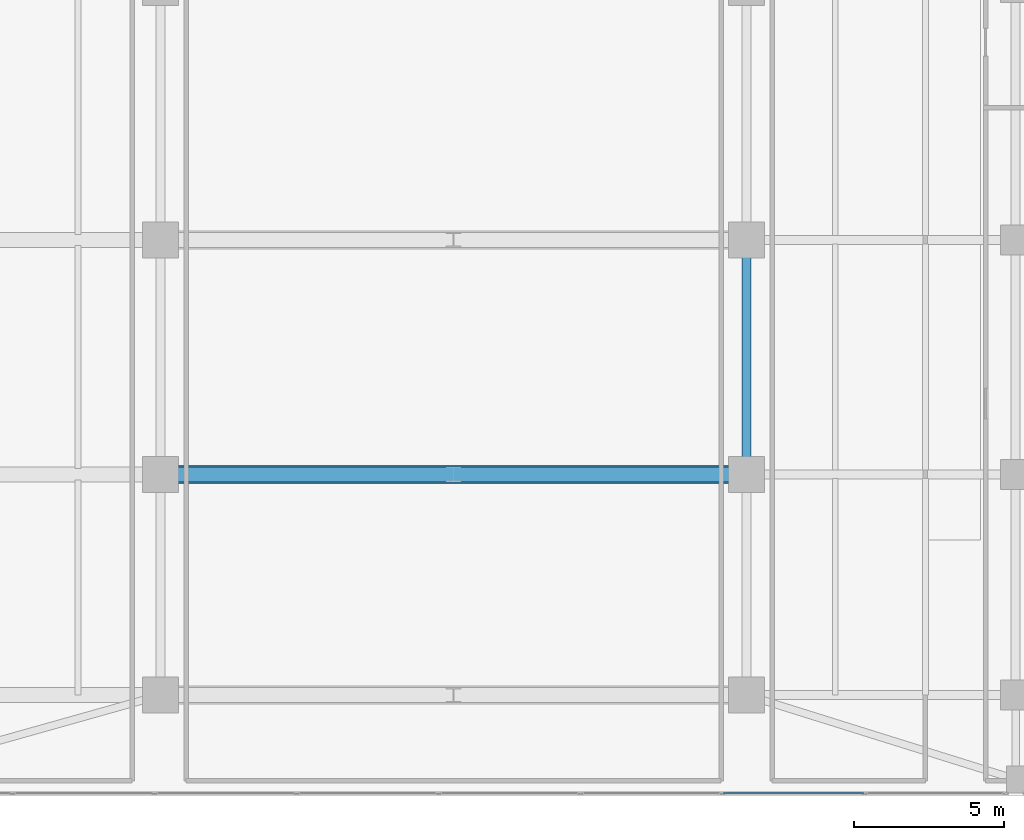
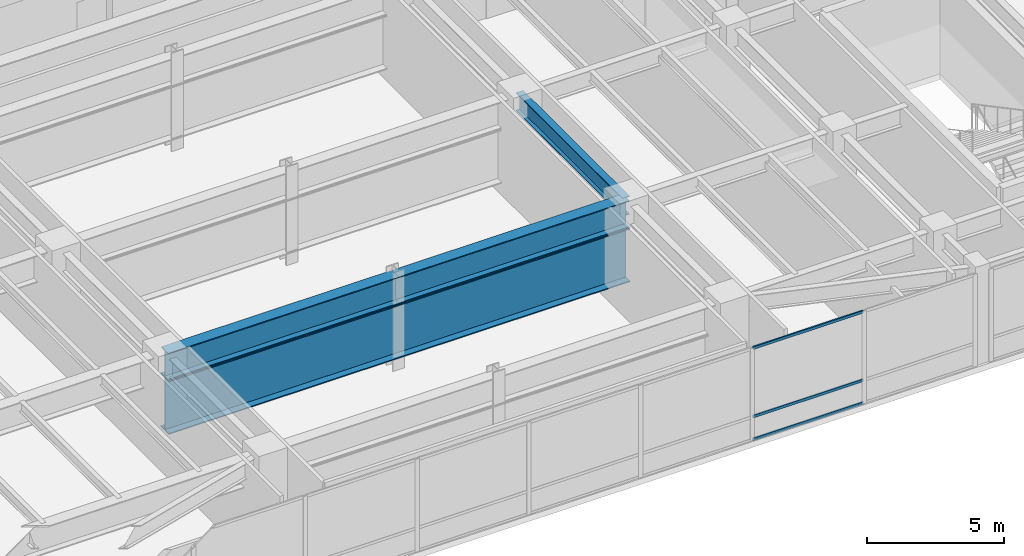
# One storey, part 12 of 27: 4 beams, 3 members, 1 element without a shape of its own.
"""IFC4 building model written with IfcOpenShell, lengths in metres."""

from ifc_helpers import new_model, si_unit, direction, frame, origin, origin_2d, place, context, subcontext, project, spatial, hollow_rectangle, i_section, extrude, source, transform, mapped, material, layer, layer_set, material_profile, profile_set, type_object, type_shapes, element, aggregate, save


model = new_model("IFC4")

# Units and contexts
model_context = context("Model", 3, precision=1e-05, world=origin(), true_north=direction((0.0, 1.0)))
body_context = subcontext(model_context, "Body", "Model", "MODEL_VIEW")
ifc_project = project(units=[si_unit("LENGTHUNIT", "METRE"), si_unit("AREAUNIT", "SQUARE_METRE"), si_unit("VOLUMEUNIT", "CUBIC_METRE"), si_unit("PLANEANGLEUNIT", "RADIAN"), si_unit("MASSUNIT", "GRAM", prefix="KILO")], contexts=[model_context])

# Site, building, storey
site_placement = place(None, origin())
site = spatial("IfcSite", under=ifc_project, at=site_placement, CompositionType="ELEMENT")
building_placement = place(site_placement, origin())
building = spatial("IfcBuilding", under=site, at=building_placement, Name="Tolvann Quenvar Hotel", CompositionType="ELEMENT")
storey_placement = place(building_placement, frame((0.0, 0.0, 22.39990234375)))
storey = spatial("IfcBuildingStorey", under=building, at=storey_placement, Name="L04", CompositionType="ELEMENT", Elevation=22.39990234375)

# Beams
ifc_material_1 = material(Name="Steel Grade 350", Category="steel")
ifc_material_profile_1 = material_profile(ifc_material_1, i_section(OverallWidth=0.300048828125, OverallDepth=0.81591796875, WebThickness=0.010009765625, FlangeThickness=0.028076171875, at=origin_2d()), Name="800WB192")
ifc_profile_set_1 = profile_set([ifc_material_profile_1], Name="Steel Grade 350")
beam_type_1 = type_object("IfcBeamType", Name="BM_GIRD_800WB192", PredefinedType="BEAM", material=ifc_profile_set_1)
shared_shape_1 = source(origin(), body_context, "Body", "SweptSolid", [
    extrude(i_section(OverallWidth=0.300048828125, OverallDepth=0.81591796875, WebThickness=0.010009765625, FlangeThickness=0.028076171875, at=origin_2d()), origin(), (0.0, 0.0, 1.0), 7.800048828125),
])
type_shapes(beam_type_1, [shared_shape_1])
beam_1_placement = place(storey_placement, frame((38.25, 8.199951171875, 3.732177734375), z_axis=(0.0, 1.0, 0.0), x_axis=(-1.0, 0.0, 0.0)))
element("IfcBeam", 1, at=beam_1_placement, inside=storey, type_object=beam_type_1, Name="BM-L04-NS-APE-1", PredefinedType="BEAM", context=body_context, shape_type="MappedRepresentation", body=[
    mapped(shared_shape_1, transform((0.0, 0.0, 0.0), x_axis=(1.0, 0.0, 0.0), y_axis=(0.0, 1.0, 0.0), z_axis=(0.0, 0.0, 1.0), scale=1.0)),
])
ifc_material_profile_2 = material_profile(ifc_material_1, i_section(OverallWidth=0.5, OverallDepth=1.199951171875, WebThickness=0.01611328125, FlangeThickness=0.0400390625, at=origin_2d()), Name="1200WB455")
ifc_profile_set_2 = profile_set([ifc_material_profile_2], Name="Steel Grade 350")
beam_type_2 = type_object("IfcBeamType", Name="BM_TG_1200WB455", PredefinedType="USERDEFINED", material=ifc_profile_set_2)
shared_shape_2 = source(origin(), body_context, "Body", "SweptSolid", [
    extrude(i_section(OverallWidth=0.5, OverallDepth=1.199951171875, WebThickness=0.01611328125, FlangeThickness=0.0400390625, at=origin_2d()), origin(), (0.0, 0.0, 1.0), 9.75),
])
type_shapes(beam_type_2, [shared_shape_2])
for number, where, z_axis, x_axis, name in (
    (2, (18.75, 8.199951171875, 3.5400390625), (1.0, 0.0, 0.0), (0.0, 1.0, 0.0), "BM-L04-ATIE-2A"),
    (3, (28.5, 8.199951171875, 3.5400390625), (1.0, 0.0, 0.0), (0.0, 1.0, 0.0), "BM-L04-ATIE-2B"),
):
    element("IfcBeam", number, at=place(storey_placement, frame(where, z_axis=z_axis, x_axis=x_axis)), inside=storey, type_object=beam_type_2, Name=name, ObjectType="TRANSFER GIRDER", PredefinedType="USERDEFINED", context=body_context, shape_type="MappedRepresentation", body=[
        mapped(shared_shape_2, transform((0.0, 0.0, 0.0), x_axis=(1.0, 0.0, 0.0), y_axis=(0.0, 1.0, 0.0), z_axis=(0.0, 0.0, 1.0), scale=1.0)),
    ])
ifc_material_profile_3 = material_profile(ifc_material_1, i_section(OverallWidth=0.60009765625, OverallDepth=2.39990234375, WebThickness=0.02001953125, FlangeThickness=0.044921875, at=origin_2d()), Name="2400WB655")
ifc_profile_set_3 = profile_set([ifc_material_profile_3], Name="Steel Grade 350")
beam_type_3 = type_object("IfcBeamType", Name="BM_TG_2400WB655", PredefinedType="USERDEFINED", material=ifc_profile_set_3)
shared_shape_3 = source(origin(), body_context, "Body", "SweptSolid", [
    extrude(i_section(OverallWidth=0.60009765625, OverallDepth=2.39990234375, WebThickness=0.02001953125, FlangeThickness=0.044921875, at=origin_2d()), origin(), (0.0, 0.0, 1.0), 19.5),
])
type_shapes(beam_type_3, [shared_shape_3])
beam_2_placement = place(storey_placement, frame((18.75, 8.199951171875, 1.739990234375), z_axis=(1.0, 0.0, 0.0), x_axis=(0.0, 1.0, 0.0)))
element("IfcBeam", 4, at=beam_2_placement, inside=storey, type_object=beam_type_3, Name="BM-L04-ACAR-2", ObjectType="TRANSFER GIRDER", PredefinedType="USERDEFINED", context=body_context, shape_type="MappedRepresentation", body=[
    mapped(shared_shape_3, transform((0.0, 0.0, 0.0), x_axis=(1.0, 0.0, 0.0), y_axis=(0.0, 1.0, 0.0), z_axis=(0.0, 0.0, 1.0), scale=1.0)),
])

# Curtain wall, members
ifc_material_2 = material(Name="Thermally broken anodised architectural aluminium 6063-T6 and laminated low-E glass", Category="aluminium")
ifc_layer = layer(ifc_material_2, 0.179931640625)
ifc_layer_set = layer_set([ifc_layer], Name="Thermally broken anodised architectural aluminium 6063-T6 and laminated low-E glass")
curtain_wall_type = type_object("IfcCurtainWallType", Name="CW_SYS_BALL_02", PredefinedType="USERDEFINED", material=ifc_layer_set)
curtain_wall_placement = place(storey_placement, origin())
curtain_wall = element("IfcCurtainWall", 5, at=curtain_wall_placement, inside=storey, type_object=curtain_wall_type, Name="Curtain Wall CW-BALL-02 (CWR-L04-E04-S3)", ObjectType="UNITISED CURTAIN WALL", PredefinedType="USERDEFINED")
ifc_material_3 = material(Name="Anodised architectural aluminium 6063-T6 framing", Category="aluminium")
ifc_material_profile_4 = material_profile(ifc_material_3, hollow_rectangle(XDim=0.06005859375, YDim=0.1201171875, WallThickness=0.00341796875, at=origin_2d()), Name="120x60x3.5RHS")
ifc_profile_set_4 = profile_set([ifc_material_profile_4], Name="Anodised architectural aluminium 6063-T6 framing")
member_type = type_object("IfcMemberType", Name="CW_TRAN_120x60", PredefinedType="USERDEFINED", material=ifc_profile_set_4)
shared_shape_4 = source(origin(), body_context, "Body", "SweptSolid", [
    extrude(hollow_rectangle(XDim=0.06005859375, YDim=0.1201171875, WallThickness=0.00341796875, at=origin_2d()), origin(), (0.0, 0.0, 1.0), 4.654052734375),
])
type_shapes(member_type, [shared_shape_4])
member_1_placement = place(storey_placement, frame((37.48291015625, -2.409912109375, 0.030029296875), z_axis=(1.0, 0.0, 0.0), x_axis=(0.0, 1.0, 0.0)))
member_1 = element("IfcMember", 6, at=member_1_placement, type_object=member_type, Name="CW-BALL-02 transom 7.1", ObjectType="TRANSOM", PredefinedType="USERDEFINED", context=body_context, shape_type="MappedRepresentation", body=[
    mapped(shared_shape_4, transform((0.0, 0.0, 0.0), x_axis=(1.0, 0.0, 0.0), y_axis=(0.0, 1.0, 0.0), z_axis=(0.0, 0.0, 1.0), scale=1.0)),
])
member_2_placement = place(storey_placement, frame((37.48291015625, -2.409912109375, 1.050048828125), z_axis=(1.0, 0.0, 0.0), x_axis=(0.0, 1.0, 0.0)))
member_2 = element("IfcMember", 7, at=member_2_placement, type_object=member_type, Name="CW-BALL-02 transom 7.2", ObjectType="TRANSOM", PredefinedType="USERDEFINED", context=body_context, shape_type="MappedRepresentation", body=[
    mapped(shared_shape_4, transform((0.0, 0.0, 0.0), x_axis=(1.0, 0.0, 0.0), y_axis=(0.0, 1.0, 0.0), z_axis=(0.0, 0.0, 1.0), scale=1.0)),
])
member_3_placement = place(storey_placement, frame((37.48291015625, -2.409912109375, 4.110107421875), z_axis=(1.0, 0.0, 0.0), x_axis=(0.0, 1.0, 0.0)))
member_3 = element("IfcMember", 8, at=member_3_placement, type_object=member_type, Name="CW-BALL-02 transom 7.3", ObjectType="TRANSOM", PredefinedType="USERDEFINED", context=body_context, shape_type="MappedRepresentation", body=[
    mapped(shared_shape_4, transform((0.0, 0.0, 0.0), x_axis=(1.0, 0.0, 0.0), y_axis=(0.0, 1.0, 0.0), z_axis=(0.0, 0.0, 1.0), scale=1.0)),
])
aggregate(curtain_wall, [member_1, member_2, member_3])

save(model, "model.ifc")
